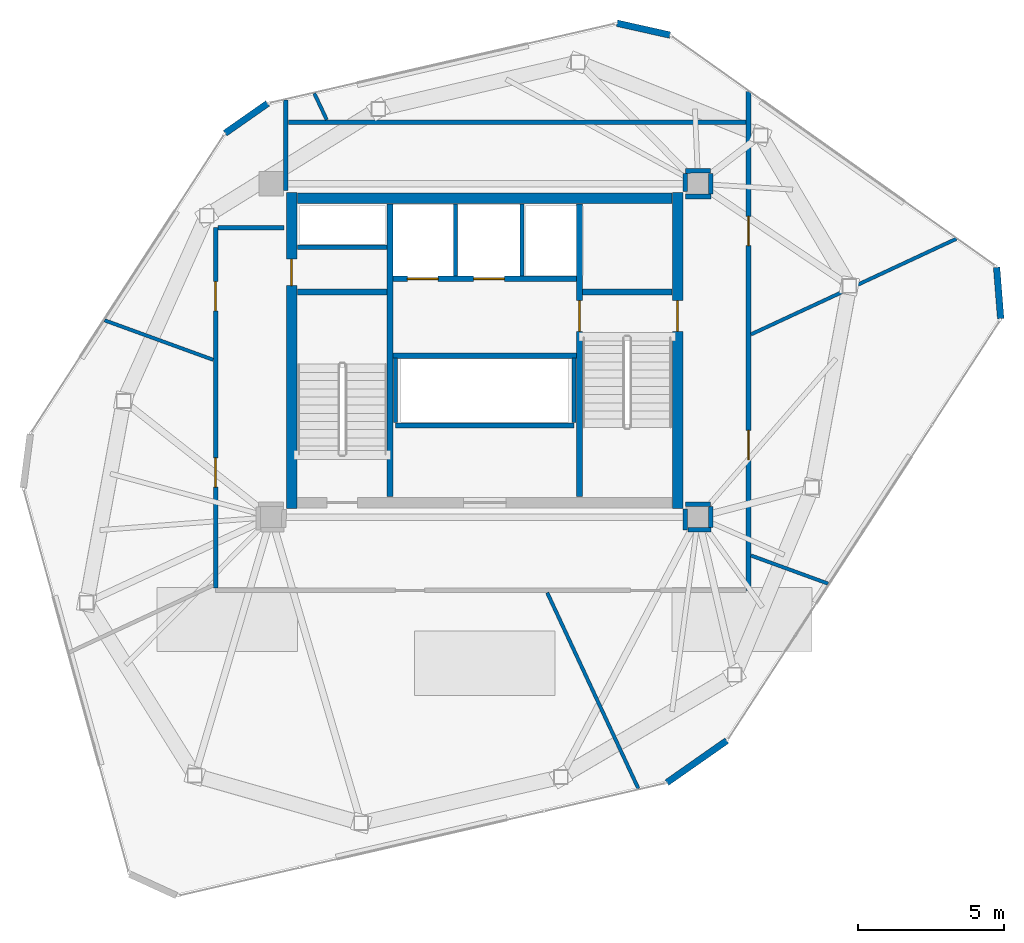
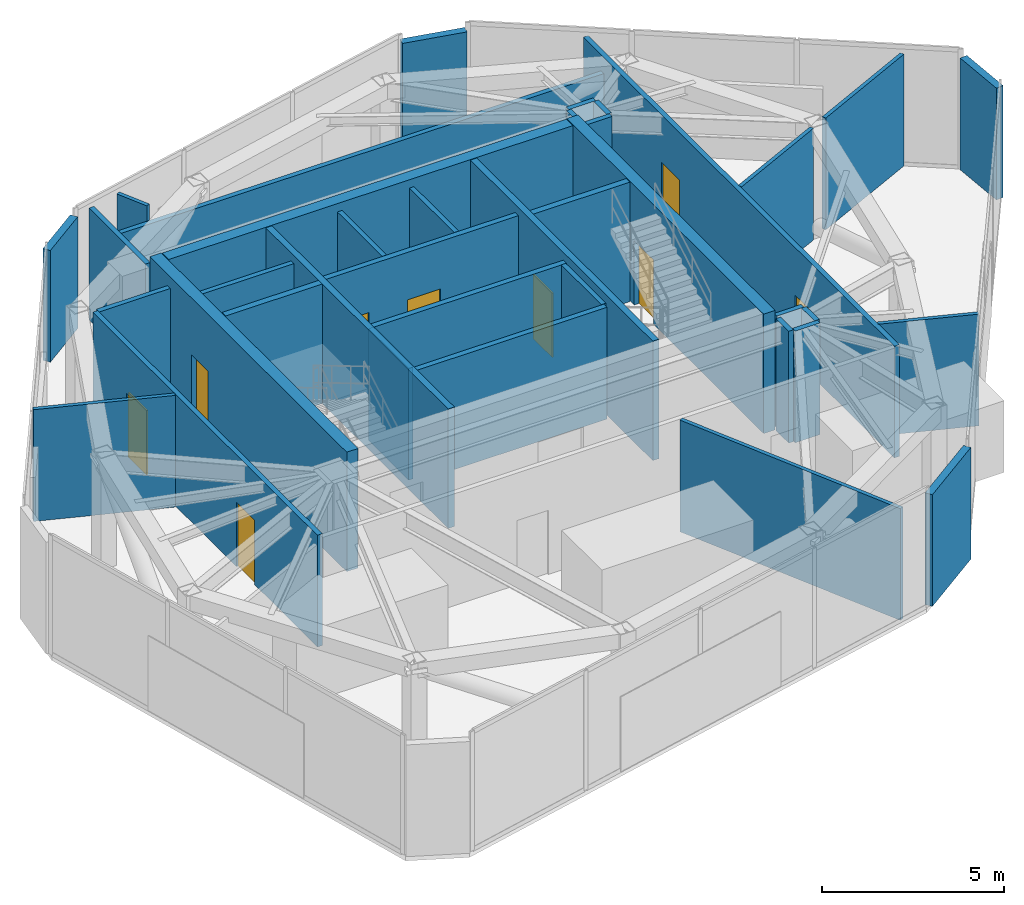
# One storey, part 18 of 21: 38 walls, 9 doors, 9 openings.
"""IFC4 building model written with IfcOpenShell, lengths in metres."""

from ifc_helpers import new_model, si_unit, direction, frame, frame_2d, origin, place, context, subcontext, project, spatial, rectangle, extrude, source, transform, mapped, material, layer, layer_set, type_object, type_shapes, element, fill, save


model = new_model("IFC4")

# Units and contexts
model_context = context("Model", 3, precision=1e-05, world=origin(), true_north=direction((0.0, 1.0)))
body_context = subcontext(model_context, "Body", "Model", "MODEL_VIEW")
ifc_project = project(units=[si_unit("LENGTHUNIT", "METRE"), si_unit("AREAUNIT", "SQUARE_METRE"), si_unit("VOLUMEUNIT", "CUBIC_METRE"), si_unit("PLANEANGLEUNIT", "RADIAN"), si_unit("MASSUNIT", "GRAM", prefix="KILO")], contexts=[model_context])

# Site, building, storey
site_placement = place(None, origin())
site = spatial("IfcSite", under=ifc_project, at=site_placement, CompositionType="ELEMENT")
building_placement = place(site_placement, origin())
building = spatial("IfcBuilding", under=site, at=building_placement, Name="Talar Marvaseh", CompositionType="ELEMENT")
storey_placement = place(building_placement, frame((0.0, 0.0, 308.0)))
storey = spatial("IfcBuildingStorey", under=building, at=storey_placement, Name="L82", CompositionType="ELEMENT", Elevation=308.0)

# Walls
ifc_material_1 = material(Name="Precast concrete C45/55", Category="concrete")
ifc_layer_1 = layer(ifc_material_1, 0.22509765625)
ifc_layer_set_1 = layer_set([ifc_layer_1], Name="Precast concrete C45/55")
wall_type_1 = type_object("IfcWallType", Name="Chamfered Hexagonal Corner Pier Wall Z4 225", PredefinedType="SOLIDWALL", material=ifc_layer_set_1)
wall_1_placement = place(storey_placement, frame((17.1220703125, 38.626708984375, 0.0), z_axis=(0.0, 0.0, 1.0), x_axis=(0.819090185356, 0.573664769925, 0.0)))
element("IfcWall", 1, at=wall_1_placement, inside=storey, type_object=wall_type_1, Name="L82 Chamfered Corner Limestone Pier 3", PredefinedType="SOLIDWALL", context=body_context, shape_type="SweptSolid", body=[
    extrude(rectangle(XDim=1.780517578125, YDim=0.22509765625, at=frame_2d((0.89013671875, 0.0))), origin(), (0.0, 0.0, 1.0), 3.739990234375),
])
wall_2_placement = place(storey_placement, frame((30.5244140625, 42.38916015625, 0.0), z_axis=(0.0, 0.0, 1.0), x_axis=(0.975826819247, -0.218545232932, 0.0)))
element("IfcWall", 2, at=wall_2_placement, inside=storey, type_object=wall_type_1, Name="L82 Chamfered Corner Limestone Pier 4", PredefinedType="SOLIDWALL", context=body_context, shape_type="SweptSolid", body=[
    extrude(rectangle(XDim=1.856689453125, YDim=0.22509765625, at=frame_2d((0.92822265625, 0.0))), origin(), (0.0, 0.0, 1.0), 3.739990234375),
])
wall_3_placement = place(storey_placement, frame((43.504150390625, 34.041748046875, 0.0), z_axis=(0.0, 0.0, 1.0), x_axis=(0.079712105085, -0.996817927358, 0.0)))
element("IfcWall", 3, at=wall_3_placement, inside=storey, type_object=wall_type_1, Name="L82 Chamfered Corner Limestone Pier 5", PredefinedType="SOLIDWALL", context=body_context, shape_type="SweptSolid", body=[
    extrude(rectangle(XDim=1.758056640625, YDim=0.22509765625, at=frame_2d((0.87890625, 0.0))), origin(), (0.0, 0.0, 1.0), 3.739990234375),
])
wall_4_placement = place(storey_placement, frame((34.27880859375, 17.85791015625, 0.0), z_axis=(0.0, 0.0, 1.0), x_axis=(-0.819149408047, -0.573580201276, 0.0)))
element("IfcWall", 4, at=wall_4_placement, inside=storey, type_object=wall_type_1, Name="L82 Chamfered Corner Limestone Pier 6", PredefinedType="SOLIDWALL", context=body_context, shape_type="SweptSolid", body=[
    extrude(rectangle(XDim=2.50244140625, YDim=0.22509765625, at=frame_2d((1.251220703125, 0.0))), origin(), (0.0, 0.0, 1.0), 3.739990234375),
])
ifc_material_2 = material(Name="Gypsum Board Partition Assembly")
ifc_layer_2 = layer(ifc_material_2, 0.155029296875)
ifc_layer_set_2 = layer_set([ifc_layer_2], Name="Gypsum Board Partition Assembly")
wall_type_2 = type_object("IfcWallType", Name="Corridor Fire-Rated Acoustic Partition 155", PredefinedType="PARTITIONING", material=ifc_layer_set_2)
wall_5_placement = place(storey_placement, frame((19.60009765625, 34.72998046875, 0.0), z_axis=(0.0, 0.0, 1.0), x_axis=(1.0, 0.0, 0.0)))
element("IfcWall", 5, at=wall_5_placement, inside=storey, type_object=wall_type_2, Name="L82 Core BOH Partition", PredefinedType="PARTITIONING", context=body_context, shape_type="SweptSolid", body=[
    extrude(rectangle(XDim=3.059814453125, YDim=0.155029296875, at=frame_2d((1.52978515625, 0.0))), origin(), (0.0, 0.0, 1.0), 3.739990234375),
])

# Wall, openings, doors
wall_6_placement = place(storey_placement, frame((35.02001953125, 40.060546875, 0.0), z_axis=(0.0, 0.0, 1.0), x_axis=(0.0, -1.0, 0.0)))
wall_6 = element("IfcWall", 6, at=wall_6_placement, inside=storey, type_object=wall_type_2, Name="L82 Interior Partition Wall", PredefinedType="PARTITIONING", context=body_context, shape_type="SweptSolid", body=[
    extrude(rectangle(XDim=17.060546875, YDim=0.155029296875, at=frame_2d((8.5302734375, 0.0))), origin(), (0.0, 0.0, 1.0), 3.739990234375),
])
opening_1_placement = place(wall_6_placement, frame((11.59619140625, 0.0, 0.0)))
opening_1 = element("IfcOpeningElement", 7, at=opening_1_placement, cuts=wall_6, Name="Opening DR-RM100", PredefinedType="OPENING", context=body_context, shape_type="SweptSolid", body=[
    extrude(rectangle(XDim=1.0, YDim=2.14990234375, at=frame_2d((0.5, 1.074951171875))), frame((0.0, 0.08740234375, 0.0), z_axis=(0.0, -1.0, 0.0), x_axis=(1.0, 0.0, 0.0)), (0.0, 0.0, 1.0), 0.175048828125),
])
opening_2_placement = place(wall_6_placement, frame((4.27734375, 0.0, 0.0)))
opening_2 = element("IfcOpeningElement", 8, at=opening_2_placement, cuts=wall_6, Name="Opening DR-RM100", PredefinedType="OPENING", context=body_context, shape_type="SweptSolid", body=[
    extrude(rectangle(XDim=1.0, YDim=2.14990234375, at=frame_2d((0.5, 1.074951171875))), frame((0.0, 0.08740234375, 0.0), z_axis=(0.0, -1.0, 0.0), x_axis=(1.0, 0.0, 0.0)), (0.0, 0.0, 1.0), 0.175048828125),
])
ifc_material_3 = material(Name="Acoustic Engineered Oak Timber", Category="wood")
door_type_1 = type_object("IfcDoorType", Name="Corridor Fire-Rated Gallery Door 1000x2150", OperationType="NOTDEFINED", PredefinedType="DOOR", material=ifc_material_3)
shared_shape_1 = source(origin(), body_context, "Body", "SweptSolid", [
    extrude(rectangle(XDim=1.0, YDim=2.14990234375, at=frame_2d((0.5, 1.074951171875))), frame((0.0, 0.02490234375, 0.0), z_axis=(0.0, -1.0, 0.0), x_axis=(1.0, 0.0, 0.0)), (0.0, 0.0, 1.0), 0.050048828125),
])
type_shapes(door_type_1, [shared_shape_1])
door_1_placement = place(opening_1_placement, origin())
door_1 = element("IfcDoor", 9, at=door_1_placement, inside=storey, type_object=door_type_1, Name="L82 HV Transformer Switchroom Door", OperationType="SINGLE_SWING_RIGHT", OverallHeight=2.14990234375, OverallWidth=1.0, PredefinedType="DOOR", context=body_context, shape_type="MappedRepresentation", body=[
    mapped(shared_shape_1, transform((0.0, 0.0, 0.0), x_axis=(1.0, 0.0, 0.0), y_axis=(0.0, 1.0, 0.0), z_axis=(0.0, 0.0, 1.0), scale=1.0)),
])
fill(opening_1, door_1)
door_2_placement = place(opening_2_placement, origin())
door_2 = element("IfcDoor", 10, at=door_2_placement, inside=storey, type_object=door_type_1, Name="L82 Heat Recovery Mechanical Plant Room Door", OperationType="SINGLE_SWING_LEFT", OverallHeight=2.14990234375, OverallWidth=1.0, PredefinedType="DOOR", context=body_context, shape_type="MappedRepresentation", body=[
    mapped(shared_shape_1, transform((0.0, 0.0, 0.0), x_axis=(1.0, 0.0, 0.0), y_axis=(0.0, 1.0, 0.0), z_axis=(0.0, 0.0, 1.0), scale=1.0)),
])
fill(opening_2, door_2)

wall_7_placement = place(storey_placement, frame((16.800048828125, 23.08349609375, 0.0), z_axis=(0.0, 0.0, 1.0), x_axis=(0.0, 1.0, 0.0)))
wall_7 = element("IfcWall", 11, at=wall_7_placement, inside=storey, type_object=wall_type_2, Name="L82 Interior Partition Wall", PredefinedType="PARTITIONING", context=body_context, shape_type="SweptSolid", body=[
    extrude(rectangle(XDim=12.31640625, YDim=0.155029296875, at=frame_2d((6.158203125, 0.0))), origin(), (0.0, 0.0, 1.0), 3.739990234375),
])
opening_3_placement = place(wall_7_placement, frame((3.443115234375, 0.0, 0.0)))
opening_3 = element("IfcOpeningElement", 12, at=opening_3_placement, cuts=wall_7, Name="Opening DR-RM100", PredefinedType="OPENING", context=body_context, shape_type="SweptSolid", body=[
    extrude(rectangle(XDim=1.0, YDim=2.14990234375, at=frame_2d((0.5, 1.074951171875))), frame((0.0, 0.08740234375, 0.0), z_axis=(0.0, -1.0, 0.0), x_axis=(1.0, 0.0, 0.0)), (0.0, 0.0, 1.0), 0.175048828125),
])
opening_4_placement = place(wall_7_placement, frame((9.470703125, 0.0, 0.0)))
opening_4 = element("IfcOpeningElement", 13, at=opening_4_placement, cuts=wall_7, Name="Opening DR-RM100", PredefinedType="OPENING", context=body_context, shape_type="SweptSolid", body=[
    extrude(rectangle(XDim=1.0, YDim=2.14990234375, at=frame_2d((0.5, 1.074951171875))), frame((0.0, 0.08740234375, 0.0), z_axis=(0.0, -1.0, 0.0), x_axis=(1.0, 0.0, 0.0)), (0.0, 0.0, 1.0), 0.175048828125),
])
door_3_placement = place(opening_3_placement, origin())
door_3 = element("IfcDoor", 14, at=door_3_placement, inside=storey, type_object=door_type_1, Name="L82 Chiller and Cooling Plant Room Door", OperationType="SINGLE_SWING_LEFT", OverallHeight=2.14990234375, OverallWidth=1.0, PredefinedType="DOOR", context=body_context, shape_type="MappedRepresentation", body=[
    mapped(shared_shape_1, transform((0.0, 0.0, 0.0), x_axis=(1.0, 0.0, 0.0), y_axis=(0.0, 1.0, 0.0), z_axis=(0.0, 0.0, 1.0), scale=1.0)),
])
fill(opening_3, door_3)
door_4_placement = place(opening_4_placement, origin())
door_4 = element("IfcDoor", 15, at=door_4_placement, inside=storey, type_object=door_type_1, Name="L82 BMS Telecoms Control Plant Room Door", OperationType="SINGLE_SWING_RIGHT", OverallHeight=2.14990234375, OverallWidth=1.0, PredefinedType="DOOR", context=body_context, shape_type="MappedRepresentation", body=[
    mapped(shared_shape_1, transform((0.0, 0.0, 0.0), x_axis=(1.0, 0.0, 0.0), y_axis=(0.0, 1.0, 0.0), z_axis=(0.0, 0.0, 1.0), scale=1.0)),
])
fill(opening_4, door_4)

# Walls
wall_8_placement = place(storey_placement, frame((16.883544921875, 35.39990234375, 0.0), z_axis=(0.0, 0.0, 1.0), x_axis=(1.0, 0.0, 0.0)))
element("IfcWall", 16, at=wall_8_placement, inside=storey, type_object=wall_type_2, Name="L82 Interior Partition Wall", PredefinedType="PARTITIONING", context=body_context, shape_type="SweptSolid", body=[
    extrude(rectangle(XDim=2.246337890625, YDim=0.155029296875, at=frame_2d((1.123046875, 0.0))), origin(), (0.0, 0.0, 1.0), 3.739990234375),
])
wall_9_placement = place(storey_placement, frame((19.199951171875, 36.669921875, 0.0), z_axis=(0.0, 0.0, 1.0), x_axis=(0.0, 1.0, 0.0)))
element("IfcWall", 17, at=wall_9_placement, inside=storey, type_object=wall_type_2, Name="L82 Interior Partition Wall", PredefinedType="PARTITIONING", context=body_context, shape_type="SweptSolid", body=[
    extrude(rectangle(XDim=3.10009765625, YDim=0.155029296875, at=frame_2d((1.550048828125, 0.0))), origin(), (0.0, 0.0, 1.0), 3.739990234375),
])
wall_10_placement = place(storey_placement, frame((19.283447265625, 39.0, 0.0), z_axis=(0.0, 0.0, 1.0), x_axis=(1.0, 0.0, 0.0)))
element("IfcWall", 18, at=wall_10_placement, inside=storey, type_object=wall_type_2, Name="L82 Interior Partition Wall", PredefinedType="PARTITIONING", context=body_context, shape_type="SweptSolid", body=[
    extrude(rectangle(XDim=15.653076171875, YDim=0.155029296875, at=frame_2d((7.82666015625, 0.0))), origin(), (0.0, 0.0, 1.0), 3.215087890625),
])
wall_11_placement = place(storey_placement, frame((33.72509765625, 25.93994140625, 0.0), z_axis=(0.0, 0.0, 1.0), x_axis=(-0.999986790873, -0.005139852152, 0.0)))
element("IfcWall", 19, at=wall_11_placement, inside=storey, type_object=wall_type_2, Name="L82 Interior Partition Wall", PredefinedType="PARTITIONING", context=body_context, shape_type="SweptSolid", body=[
    extrude(rectangle(XDim=0.85498046875, YDim=0.155029296875, at=frame_2d((0.427490234375, 0.0))), origin(), (0.0, 0.0, 1.0), 3.739990234375),
])
wall_12_placement = place(storey_placement, frame((32.864501953125, 25.772705078125, 0.0), z_axis=(0.0, 0.0, 1.0), x_axis=(0.0, -1.0, 0.0)))
element("IfcWall", 20, at=wall_12_placement, inside=storey, type_object=wall_type_2, Name="L82 Interior Partition Wall", PredefinedType="PARTITIONING", context=body_context, shape_type="SweptSolid", body=[
    extrude(rectangle(XDim=0.708251953125, YDim=0.155029296875, at=frame_2d((0.35400390625, 0.0))), origin(), (0.0, 0.0, 1.0), 3.739990234375),
])
wall_13_placement = place(storey_placement, frame((32.947998046875, 25.064453125, 0.0), z_axis=(0.0, 0.0, 1.0), x_axis=(1.0, 0.0, 0.0)))
element("IfcWall", 21, at=wall_13_placement, inside=storey, type_object=wall_type_2, Name="L82 Interior Partition Wall", PredefinedType="PARTITIONING", context=body_context, shape_type="SweptSolid", body=[
    extrude(rectangle(XDim=0.78759765625, YDim=0.155029296875, at=frame_2d((0.393798828125, 0.0))), origin(), (0.0, 0.0, 1.0), 3.739990234375),
])
wall_14_placement = place(storey_placement, frame((33.734619140625, 25.14794921875, 0.0), z_axis=(0.0, 0.0, 1.0), x_axis=(-0.012059770759, 0.99992727832, 0.0)))
element("IfcWall", 22, at=wall_14_placement, inside=storey, type_object=wall_type_2, Name="L82 Interior Partition Wall", PredefinedType="PARTITIONING", context=body_context, shape_type="SweptSolid", body=[
    extrude(rectangle(XDim=0.70849609375, YDim=0.155029296875, at=frame_2d((0.354248046875, 0.0))), origin(), (0.0, 0.0, 1.0), 3.739990234375),
])
wall_15_placement = place(storey_placement, frame((33.72509765625, 37.340087890625, 0.0), z_axis=(0.0, 0.0, 1.0), x_axis=(-0.999986962681, -0.005106316405, 0.0)))
element("IfcWall", 23, at=wall_15_placement, inside=storey, type_object=wall_type_2, Name="L82 Interior Partition Wall", PredefinedType="PARTITIONING", context=body_context, shape_type="SweptSolid", body=[
    extrude(rectangle(XDim=0.860595703125, YDim=0.155029296875, at=frame_2d((0.43017578125, 0.0))), origin(), (0.0, 0.0, 1.0), 3.739990234375),
])
wall_16_placement = place(storey_placement, frame((32.864501953125, 37.252197265625, 0.0), z_axis=(0.0, 0.0, 1.0), x_axis=(0.0, -1.0, 0.0)))
element("IfcWall", 24, at=wall_16_placement, inside=storey, type_object=wall_type_2, Name="L82 Interior Partition Wall", PredefinedType="PARTITIONING", context=body_context, shape_type="SweptSolid", body=[
    extrude(rectangle(XDim=0.624755859375, YDim=0.155029296875, at=frame_2d((0.3125, 0.0))), origin(), (0.0, 0.0, 1.0), 3.739990234375),
])
wall_17_placement = place(storey_placement, frame((32.8701171875, 36.46435546875, 0.0), z_axis=(0.0, 0.0, 1.0), x_axis=(1.0, 0.0, 0.0)))
element("IfcWall", 25, at=wall_17_placement, inside=storey, type_object=wall_type_2, Name="L82 Interior Partition Wall", PredefinedType="PARTITIONING", context=body_context, shape_type="SweptSolid", body=[
    extrude(rectangle(XDim=0.865478515625, YDim=0.155029296875, at=frame_2d((0.4326171875, 0.0))), origin(), (0.0, 0.0, 1.0), 3.739990234375),
])
wall_18_placement = place(storey_placement, frame((33.734619140625, 36.5478515625, 0.0), z_axis=(0.0, 0.0, 1.0), x_axis=(-0.012055617118, 0.999927328407, 0.0)))
element("IfcWall", 26, at=wall_18_placement, inside=storey, type_object=wall_type_2, Name="L82 Interior Partition Wall", PredefinedType="PARTITIONING", context=body_context, shape_type="SweptSolid", body=[
    extrude(rectangle(XDim=0.708740234375, YDim=0.155029296875, at=frame_2d((0.3544921875, 0.0))), origin(), (0.0, 0.0, 1.0), 3.739990234375),
])
ifc_layer_3 = layer(ifc_material_2, 0.1201171875)
ifc_layer_set_3 = layer_set([ifc_layer_3], Name="Gypsum Board Partition Assembly")
wall_type_3 = type_object("IfcWallType", Name="Demountable Studio Room Partition 120", PredefinedType="PARTITIONING", material=ifc_layer_set_3)
wall_19_placement = place(storey_placement, frame((13.0029296875, 32.230712890625, 0.0), z_axis=(0.0, 0.0, 1.0), x_axis=(0.939798835122, -0.341728180728, 0.0)))
element("IfcWall", 27, at=wall_19_placement, inside=storey, type_object=wall_type_3, Name="L82 Interior Partition Wall", PredefinedType="PARTITIONING", context=body_context, shape_type="SweptSolid", body=[
    extrude(rectangle(XDim=3.951416015625, YDim=0.1201171875, at=frame_2d((1.9755859375, 0.0))), origin(), (0.0, 0.0, 1.0), 3.739990234375),
])
wall_20_placement = place(storey_placement, frame((28.138916015625, 22.91650390625, 0.0), z_axis=(0.0, 0.0, 1.0), x_axis=(0.421841318626, -0.906669676288, 0.0)))
element("IfcWall", 28, at=wall_20_placement, inside=storey, type_object=wall_type_3, Name="L82 Interior Partition Wall", PredefinedType="PARTITIONING", context=body_context, shape_type="SweptSolid", body=[
    extrude(rectangle(XDim=7.3876953125, YDim=0.1201171875, at=frame_2d((3.69384765625, 0.0))), origin(), (0.0, 0.0, 1.0), 3.739990234375),
])
wall_21_placement = place(storey_placement, frame((35.103515625, 24.189453125, 0.0), z_axis=(0.0, 0.0, 1.0), x_axis=(0.93946569384, -0.342642977598, 0.0)))
element("IfcWall", 29, at=wall_21_placement, inside=storey, type_object=wall_type_3, Name="L82 Interior Partition Wall", PredefinedType="PARTITIONING", context=body_context, shape_type="SweptSolid", body=[
    extrude(rectangle(XDim=2.8095703125, YDim=0.1201171875, at=frame_2d((1.40478515625, 0.0))), origin(), (0.0, 0.0, 1.0), 3.739990234375),
])
wall_22_placement = place(storey_placement, frame((35.103515625, 31.748779296875, 0.0), z_axis=(0.0, 0.0, 1.0), x_axis=(0.907133410512, 0.420843172135, 0.0)))
element("IfcWall", 30, at=wall_22_placement, inside=storey, type_object=wall_type_3, Name="L82 Interior Partition Wall", PredefinedType="PARTITIONING", context=body_context, shape_type="SweptSolid", body=[
    extrude(rectangle(XDim=3.424560546875, YDim=0.1201171875, at=frame_2d((1.71240234375, 0.0))), origin(), (0.0, 0.0, 1.0), 3.739990234375),
])
wall_23_placement = place(storey_placement, frame((38.739990234375, 33.43994140625, 0.0), z_axis=(0.0, 0.0, 1.0), x_axis=(0.906531635491, 0.422137884884, 0.0)))
element("IfcWall", 31, at=wall_23_placement, inside=storey, type_object=wall_type_3, Name="L82 Interior Partition Wall", PredefinedType="PARTITIONING", context=body_context, shape_type="SweptSolid", body=[
    extrude(rectangle(XDim=3.7373046875, YDim=0.1201171875, at=frame_2d((1.86865234375, 0.0))), origin(), (0.0, 0.0, 1.0), 3.739990234375),
])
wall_24_placement = place(storey_placement, frame((20.600830078125, 39.08349609375, 0.0), z_axis=(0.0, 0.0, 1.0), x_axis=(-0.425223888675, 0.905088197083, 0.0)))
element("IfcWall", 32, at=wall_24_placement, inside=storey, type_object=wall_type_3, Name="L82 Interior Partition Wall", PredefinedType="PARTITIONING", context=body_context, shape_type="SweptSolid", body=[
    extrude(rectangle(XDim=1.00537109375, YDim=0.1201171875, at=frame_2d((0.502685546875, 0.0))), origin(), (0.0, 0.0, 1.0), 3.739990234375),
])
ifc_layer_4 = layer(ifc_material_1, 0.14501953125)
ifc_layer_set_4 = layer_set([ifc_layer_4], Name="Precast concrete C45/55")
wall_type_4 = type_object("IfcWallType", Name="Fire-Rated Lift Divider Wall 145", PredefinedType="SOLIDWALL", material=ifc_layer_set_4)
for number, where, z_axis, x_axis, name in (
    (33, (25.0, 33.743408203125, 0.0), (0.0, 0.0, 1.0), (0.0, 1.0, 0.0), "L82 FFL-1/FFL-2 Divider"),
    (34, (27.280029296875, 33.743408203125, 0.0), (0.0, 0.0, 1.0), (0.0, 1.0, 0.0), "L82 FFL-2/SVL-1 Divider"),
):
    element("IfcWall", number, at=place(storey_placement, frame(where, z_axis=z_axis, x_axis=x_axis)), inside=storey, type_object=wall_type_4, Name=name, PredefinedType="SOLIDWALL", context=body_context, shape_type="SweptSolid", body=[
        extrude(rectangle(XDim=2.45654296875, YDim=0.14501953125, at=frame_2d((1.228271484375, 0.0))), origin(), (0.0, 0.0, 1.0), 3.739990234375),
    ])
for number, where, z_axis, x_axis, name in (
    (35, (22.949951171875, 28.739990234375, 0.0), (0.0, 0.0, 1.0), (0.0, 1.0, 0.0), "L82 High-Rise Riser West Enclosure Wall"),
    (36, (29.050048828125, 28.739990234375, 0.0), (0.0, 0.0, 1.0), (0.0, 1.0, 0.0), "L82 High-Rise Riser East Enclosure Wall"),
):
    element("IfcWall", number, at=place(storey_placement, frame(where, z_axis=z_axis, x_axis=x_axis)), inside=storey, type_object=wall_type_4, Name=name, PredefinedType="SOLIDWALL", context=body_context, shape_type="SweptSolid", body=[
        extrude(rectangle(XDim=2.199951171875, YDim=0.14501953125, at=frame_2d((1.10009765625, 0.0))), origin(), (0.0, 0.0, 1.0), 3.739990234375),
    ])

# Wall, openings, doors
ifc_layer_5 = layer(ifc_material_1, 0.175048828125)
ifc_layer_set_5 = layer_set([ifc_layer_5], Name="Precast concrete C45/55")
wall_type_5 = type_object("IfcWallType", Name="Fire-Rated Lift Hoistway Enclosure Wall 175", PredefinedType="SOLIDWALL", material=ifc_layer_set_5)
wall_25_placement = place(storey_placement, frame((22.860107421875, 33.64990234375, 0.0), z_axis=(0.0, 0.0, 1.0), x_axis=(1.0, 0.0, 0.0)))
wall_25 = element("IfcWall", 37, at=wall_25_placement, inside=storey, type_object=wall_type_5, Name="L82 Firefighting and Service Lift Front Wall", PredefinedType="SOLIDWALL", context=body_context, shape_type="SweptSolid", body=[
    extrude(rectangle(XDim=6.27978515625, YDim=0.175048828125, at=frame_2d((3.139892578125, 0.0))), origin(), (0.0, 0.0, 1.0), 3.739990234375),
])
opening_5_placement = place(wall_25_placement, frame((0.5, 0.0, 0.0)))
opening_5 = element("IfcOpeningElement", 38, at=opening_5_placement, cuts=wall_25, Name="Opening LD-FF1", PredefinedType="OPENING", context=body_context, shape_type="SweptSolid", body=[
    extrude(rectangle(XDim=1.050048828125, YDim=2.14990234375, at=frame_2d((0.52490234375, 1.074951171875))), frame((0.0, 0.09765625, 0.0), z_axis=(0.0, -1.0, 0.0), x_axis=(1.0, 0.0, 0.0)), (0.0, 0.0, 1.0), 0.195068359375),
])
opening_6_placement = place(wall_25_placement, frame((2.760009765625, 0.0, 0.0)))
opening_6 = element("IfcOpeningElement", 39, at=opening_6_placement, cuts=wall_25, Name="Opening LD-FF2", PredefinedType="OPENING", context=body_context, shape_type="SweptSolid", body=[
    extrude(rectangle(XDim=1.050048828125, YDim=2.14990234375, at=frame_2d((0.52490234375, 1.074951171875))), frame((0.0, 0.09765625, 0.0), z_axis=(0.0, -1.0, 0.0), x_axis=(1.0, 0.0, 0.0)), (0.0, 0.0, 1.0), 0.195068359375),
])
ifc_material_4 = material(Name="Stainless Steel Grade 316", Category="steel")
door_type_2 = type_object("IfcDoorType", Name="Automatic Sliding Lift Landing Door 1050x2150", OperationType="NOTDEFINED", PredefinedType="DOOR", material=ifc_material_4)
shared_shape_2 = source(origin(), body_context, "Body", "SweptSolid", [
    extrude(rectangle(XDim=1.050048828125, YDim=2.14990234375, at=frame_2d((0.52490234375, 1.074951171875))), frame((0.0, 0.02490234375, 0.0), z_axis=(0.0, -1.0, 0.0), x_axis=(1.0, 0.0, 0.0)), (0.0, 0.0, 1.0), 0.050048828125),
])
type_shapes(door_type_2, [shared_shape_2])
door_5_placement = place(opening_5_placement, origin())
door_5 = element("IfcDoor", 40, at=door_5_placement, inside=storey, type_object=door_type_2, Name="L82 Lift FFL-1 Sliding Landing Door", OperationType="SLIDING_TO_LEFT", OverallHeight=2.14990234375, OverallWidth=1.050048828125, PredefinedType="DOOR", context=body_context, shape_type="MappedRepresentation", body=[
    mapped(shared_shape_2, transform((0.0, 0.0, 0.0), x_axis=(1.0, 0.0, 0.0), y_axis=(0.0, 1.0, 0.0), z_axis=(0.0, 0.0, 1.0), scale=1.0)),
])
fill(opening_5, door_5)
door_6_placement = place(opening_6_placement, origin())
door_6 = element("IfcDoor", 41, at=door_6_placement, inside=storey, type_object=door_type_2, Name="L82 Lift FFL-2 Sliding Landing Door", OperationType="SLIDING_TO_LEFT", OverallHeight=2.14990234375, OverallWidth=1.050048828125, PredefinedType="DOOR", context=body_context, shape_type="MappedRepresentation", body=[
    mapped(shared_shape_2, transform((0.0, 0.0, 0.0), x_axis=(1.0, 0.0, 0.0), y_axis=(0.0, 1.0, 0.0), z_axis=(0.0, 0.0, 1.0), scale=1.0)),
])
fill(opening_6, door_6)

# Walls
wall_26_placement = place(storey_placement, frame((22.860107421875, 31.02001953125, 0.0), z_axis=(0.0, 0.0, 1.0), x_axis=(1.0, 0.0, 0.0)))
element("IfcWall", 42, at=wall_26_placement, inside=storey, type_object=wall_type_5, Name="L82 Firefighting Lobby South Smoke Wall", PredefinedType="SOLIDWALL", context=body_context, shape_type="SweptSolid", body=[
    extrude(rectangle(XDim=6.27978515625, YDim=0.175048828125, at=frame_2d((3.139892578125, 0.0))), origin(), (0.0, 0.0, 1.0), 3.739990234375),
])
wall_27_placement = place(storey_placement, frame((22.949951171875, 28.639892578125, 0.0), z_axis=(0.0, 0.0, 1.0), x_axis=(1.0, 0.0, 0.0)))
element("IfcWall", 43, at=wall_27_placement, inside=storey, type_object=wall_type_5, Name="L82 High-Rise Riser South Enclosure Wall", PredefinedType="SOLIDWALL", context=body_context, shape_type="SweptSolid", body=[
    extrude(rectangle(XDim=6.10009765625, YDim=0.175048828125, at=frame_2d((3.050048828125, 0.0))), origin(), (0.0, 0.0, 1.0), 3.739990234375),
])
ifc_material_5 = material(Name="Concrete C50/60", Category="concrete")
ifc_layer_6 = layer(ifc_material_5, 0.199951171875)
ifc_layer_set_6 = layer_set([ifc_layer_6], Name="Concrete C50/60")
wall_type_6 = type_object("IfcWallType", Name="Stair Shaft Structural Concrete Shear Wall 200", PredefinedType="SHEAR", material=ifc_layer_set_6)
wall_28_placement = place(storey_placement, frame((22.760009765625, 26.199951171875, 0.0), z_axis=(0.0, 0.0, 1.0), x_axis=(0.0, 1.0, 0.0)))
element("IfcWall", 44, at=wall_28_placement, inside=storey, type_object=wall_type_6, Name="L82 Core West Stair Shear Wall", PredefinedType="SHEAR", context=body_context, shape_type="SweptSolid", body=[
    extrude(rectangle(XDim=10.0, YDim=0.199951171875, at=frame_2d((5.0, 0.0))), origin(), (0.0, 0.0, 1.0), 4.0),
])

# Wall, opening, door
wall_29_placement = place(storey_placement, frame((29.239990234375, 26.199951171875, 0.0), z_axis=(0.0, 0.0, 1.0), x_axis=(0.0, 1.0, 0.0)))
wall_29 = element("IfcWall", 45, at=wall_29_placement, inside=storey, type_object=wall_type_6, Name="L82 Core East Stair Shear Wall", PredefinedType="SHEAR", context=body_context, shape_type="SweptSolid", body=[
    extrude(rectangle(XDim=10.0, YDim=0.199951171875, at=frame_2d((5.0, 0.0))), origin(), (0.0, 0.0, 1.0), 4.0),
])
opening_7_placement = place(wall_29_placement, frame((5.64990234375, 0.0, 0.0)))
opening_7 = element("IfcOpeningElement", 46, at=opening_7_placement, cuts=wall_29, Name="Opening DR-ST105", PredefinedType="OPENING", context=body_context, shape_type="SweptSolid", body=[
    extrude(rectangle(XDim=1.050048828125, YDim=2.14990234375, at=frame_2d((0.52490234375, 1.074951171875))), frame((0.0, 0.10986328125, 0.0), z_axis=(0.0, -1.0, 0.0), x_axis=(1.0, 0.0, 0.0)), (0.0, 0.0, 1.0), 0.219970703125),
])
ifc_material_6 = material(Name="Fire-Rated Steel Door Leaf", Category="steel")
door_type_3 = type_object("IfcDoorType", Name="Protected Exit Stair Fire Door 1050x2150", OperationType="NOTDEFINED", PredefinedType="DOOR", material=ifc_material_6)
shared_shape_3 = source(origin(), body_context, "Body", "SweptSolid", [
    extrude(rectangle(XDim=1.050048828125, YDim=2.14990234375, at=frame_2d((0.52490234375, 1.074951171875))), frame((0.0, 0.02490234375, 0.0), z_axis=(0.0, -1.0, 0.0), x_axis=(1.0, 0.0, 0.0)), (0.0, 0.0, 1.0), 0.050048828125),
])
type_shapes(door_type_3, [shared_shape_3])
door_7_placement = place(opening_7_placement, origin())
door_7 = element("IfcDoor", 47, at=door_7_placement, inside=storey, type_object=door_type_3, Name="L82 Firefighting Lobby to Stair ST-2 Door", OperationType="SINGLE_SWING_LEFT", OverallHeight=2.14990234375, OverallWidth=1.050048828125, PredefinedType="DOOR", context=body_context, shape_type="MappedRepresentation", body=[
    mapped(shared_shape_3, transform((0.0, 0.0, 0.0), x_axis=(1.0, 0.0, 0.0), y_axis=(0.0, 1.0, 0.0), z_axis=(0.0, 0.0, 1.0), scale=1.0)),
])
fill(opening_7, door_7)

# Walls
for number, where, z_axis, x_axis, name in (
    (48, (19.60009765625, 33.199951171875, 0.0), (0.0, 0.0, 1.0), (1.0, 0.0, 0.0), "L82 Stair ST-1 North Shear Wall"),
    (49, (29.340087890625, 33.199951171875, 0.0), (0.0, 0.0, 1.0), (1.0, 0.0, 0.0), "L82 Stair ST-2 North Shear Wall"),
):
    element("IfcWall", number, at=place(storey_placement, frame(where, z_axis=z_axis, x_axis=x_axis)), inside=storey, type_object=wall_type_6, Name=name, PredefinedType="SHEAR", context=body_context, shape_type="SweptSolid", body=[
        extrude(rectangle(XDim=3.059814453125, YDim=0.199951171875, at=frame_2d((1.52978515625, 0.0))), origin(), (0.0, 0.0, 1.0), 4.0),
    ])

# Wall, opening, door
ifc_layer_7 = layer(ifc_material_5, 0.360107421875)
ifc_layer_set_7 = layer_set([ifc_layer_7], Name="Concrete C50/60")
wall_type_7 = type_object("IfcWallType", Name="Upper Core Reinforced Concrete Shear Wall 360", PredefinedType="SHEAR", material=ifc_layer_set_7)
wall_30_placement = place(storey_placement, frame((19.39990234375, 25.800048828125, 0.0), z_axis=(0.0, 0.0, 1.0), x_axis=(0.0, 1.0, 0.0)))
wall_30 = element("IfcWall", 50, at=wall_30_placement, inside=storey, type_object=wall_type_7, Name="L82 West Core Shear Wall", PredefinedType="SHEAR", context=body_context, shape_type="SweptSolid", body=[
    extrude(rectangle(XDim=10.800048828125, YDim=0.360107421875, at=frame_2d((5.39990234375, 0.0))), origin(), (0.0, 0.0, 1.0), 4.0),
])
opening_8_placement = place(wall_30_placement, frame((7.6201171875, 0.0, 0.0)))
opening_8 = element("IfcOpeningElement", 51, at=opening_8_placement, cuts=wall_30, Name="Opening DR-BOH090", PredefinedType="OPENING", context=body_context, shape_type="SweptSolid", body=[
    extrude(rectangle(XDim=0.89990234375, YDim=2.10009765625, at=frame_2d((0.449951171875, 1.050048828125))), frame((0.0, 0.18994140625, 0.0), z_axis=(0.0, -1.0, 0.0), x_axis=(1.0, 0.0, 0.0)), (0.0, 0.0, 1.0), 0.380126953125),
])
door_type_4 = type_object("IfcDoorType", Name="Core Back-of-House Service Door 900x2100", OperationType="NOTDEFINED", PredefinedType="DOOR", material=ifc_material_6)
shared_shape_4 = source(origin(), body_context, "Body", "SweptSolid", [
    extrude(rectangle(XDim=0.89990234375, YDim=2.10009765625, at=frame_2d((0.449951171875, 1.050048828125))), frame((0.0, 0.02490234375, 0.0), z_axis=(0.0, -1.0, 0.0), x_axis=(1.0, 0.0, 0.0)), (0.0, 0.0, 1.0), 0.050048828125),
])
type_shapes(door_type_4, [shared_shape_4])
door_8_placement = place(opening_8_placement, origin())
door_8 = element("IfcDoor", 52, at=door_8_placement, inside=storey, type_object=door_type_4, Name="L82 Cleaner Core West Closet Door", OperationType="SINGLE_SWING_LEFT", OverallHeight=2.10009765625, OverallWidth=0.89990234375, PredefinedType="DOOR", context=body_context, shape_type="MappedRepresentation", body=[
    mapped(shared_shape_4, transform((0.0, 0.0, 0.0), x_axis=(1.0, 0.0, 0.0), y_axis=(0.0, 1.0, 0.0), z_axis=(0.0, 0.0, 1.0), scale=1.0)),
])
fill(opening_8, door_8)

wall_31_placement = place(storey_placement, frame((32.60009765625, 36.60009765625, 0.0), z_axis=(0.0, 0.0, 1.0), x_axis=(0.0, -1.0, 0.0)))
wall_31 = element("IfcWall", 53, at=wall_31_placement, inside=storey, type_object=wall_type_7, Name="L82 East Core Shear Wall", PredefinedType="SHEAR", context=body_context, shape_type="SweptSolid", body=[
    extrude(rectangle(XDim=10.800048828125, YDim=0.360107421875, at=frame_2d((5.39990234375, 0.0))), origin(), (0.0, 0.0, 1.0), 4.0),
])
opening_9_placement = place(wall_31_placement, frame((3.699951171875, 0.0, 0.0)))
opening_9 = element("IfcOpeningElement", 54, at=opening_9_placement, cuts=wall_31, Name="Opening DR-ST105", PredefinedType="OPENING", context=body_context, shape_type="SweptSolid", body=[
    extrude(rectangle(XDim=1.050048828125, YDim=2.14990234375, at=frame_2d((0.52490234375, 1.074951171875))), frame((0.0, 0.18994140625, 0.0), z_axis=(0.0, -1.0, 0.0), x_axis=(1.0, 0.0, 0.0)), (0.0, 0.0, 1.0), 0.380126953125),
])
door_9_placement = place(opening_9_placement, origin())
door_9 = element("IfcDoor", 55, at=door_9_placement, inside=storey, type_object=door_type_3, Name="L82 Stair ST-2 Corridor Exit Door", OperationType="SINGLE_SWING_LEFT", OverallHeight=2.14990234375, OverallWidth=1.050048828125, PredefinedType="DOOR", context=body_context, shape_type="MappedRepresentation", body=[
    mapped(shared_shape_3, transform((0.0, 0.0, 0.0), x_axis=(1.0, 0.0, 0.0), y_axis=(0.0, 1.0, 0.0), z_axis=(0.0, 0.0, 1.0), scale=1.0)),
])
fill(opening_9, door_9)

# Wall
wall_32_placement = place(storey_placement, frame((19.60009765625, 36.39990234375, 0.0), z_axis=(0.0, 0.0, 1.0), x_axis=(1.0, 0.0, 0.0)))
element("IfcWall", 56, at=wall_32_placement, inside=storey, type_object=wall_type_7, Name="L82 North Core Shear Wall", PredefinedType="SHEAR", context=body_context, shape_type="SweptSolid", body=[
    extrude(rectangle(XDim=12.7998046875, YDim=0.360107421875, at=frame_2d((6.39990234375, 0.0))), origin(), (0.0, 0.0, 1.0), 4.0),
])

save(model, "model.ifc")
